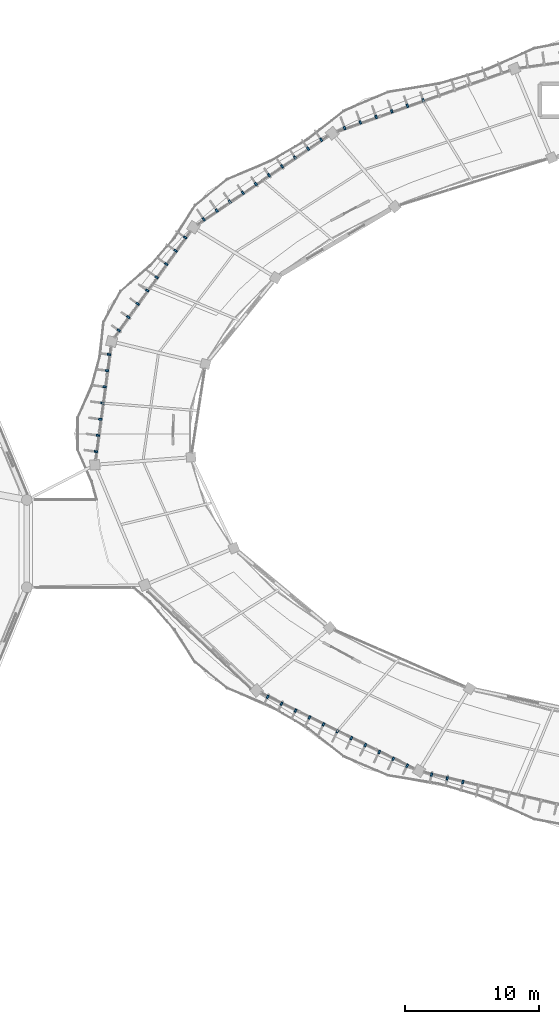
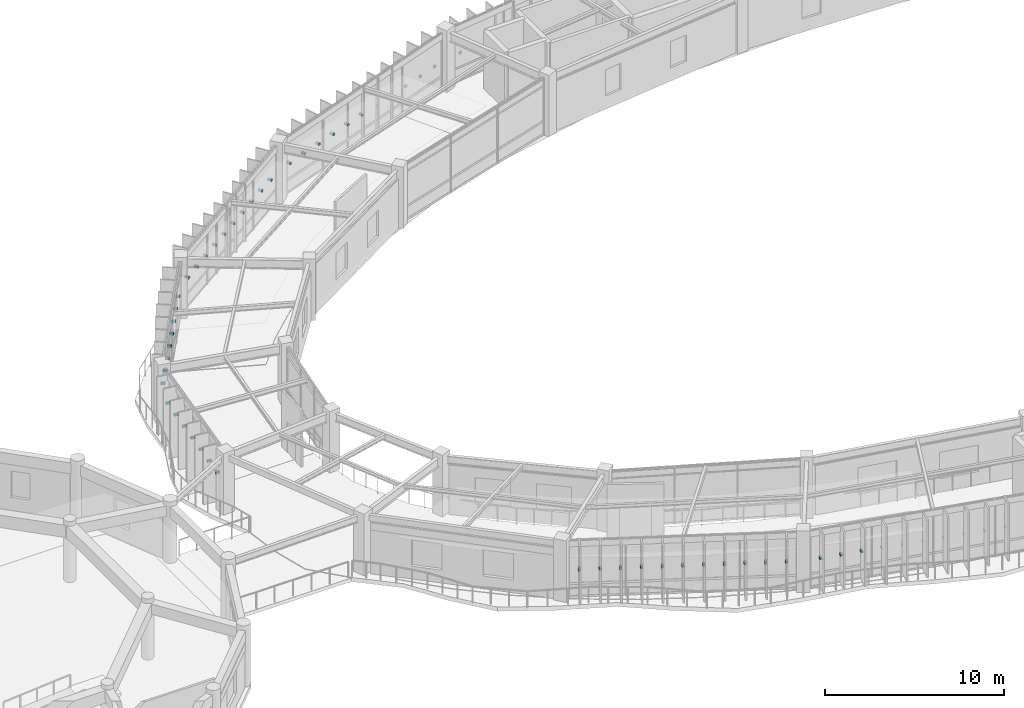
# One storey, part 133 of 152: 45 discrete accessories.
"""IFC4 building model written with IfcOpenShell, lengths in metres."""

from ifc_helpers import new_model, si_unit, direction, frame, origin, origin_2d, place, context, subcontext, project, spatial, rectangle, extrude, material, type_object, element, save


model = new_model("IFC4")

# Units and contexts
model_context = context("Model", 3, precision=1e-05, world=origin(), true_north=direction((0.0, 1.0)))
body_context = subcontext(model_context, "Body", "Model", "MODEL_VIEW")
ifc_project = project(units=[si_unit("LENGTHUNIT", "METRE"), si_unit("AREAUNIT", "SQUARE_METRE"), si_unit("VOLUMEUNIT", "CUBIC_METRE"), si_unit("PLANEANGLEUNIT", "RADIAN"), si_unit("MASSUNIT", "GRAM", prefix="KILO"), si_unit("THERMODYNAMICTEMPERATUREUNIT", "KELVIN"), si_unit("POWERUNIT", "WATT")], contexts=[model_context])

# Site, building, storey
site_placement = place(None, origin())
site = spatial("IfcSite", under=ifc_project, at=site_placement, CompositionType="ELEMENT")
building_placement = place(site_placement, origin())
building = spatial("IfcBuilding", under=site, at=building_placement, Name="Darbajah Civic Hall", CompositionType="ELEMENT")
storey_placement = place(building_placement, frame((0.0, 0.0, 5.39990234375)))
storey = spatial("IfcBuildingStorey", under=building, at=storey_placement, Name="L01", CompositionType="ELEMENT", Elevation=5.39990234375)

# Discrete accessories
ifc_material = material(Name="Stainless Steel S355JR", Category="steel")
discrete_accessory_type = type_object("IfcDiscreteAccessoryType", Name="Stainless Facade Support Bracket", PredefinedType="BRACKET", material=ifc_material)
for number, where, z_axis, x_axis, name in (
    (1, (62.760498046875, 114.69970703125, 1.89013671875), (0.0, 0.0, 1.0), (-0.334135882844, 0.94252491309, 0.0), "L01 shading fin bracket 06-6"),
    (2, (61.58837890625, 114.2841796875, 1.89013671875), (0.0, 0.0, 1.0), (-0.334135882844, 0.94252491309, 0.0), "L01 shading fin bracket 06-7"),
    (3, (60.416015625, 113.868896484375, 1.89013671875), (0.0, 0.0, 1.0), (-0.334135882844, 0.94252491309, 0.0), "L01 shading fin bracket 06-8"),
    (4, (59.243896484375, 113.453369140625, 1.89013671875), (0.0, 0.0, 1.0), (-0.334135882844, 0.94252491309, 0.0), "L01 shading fin bracket 06-9"),
    (5, (58.07177734375, 113.037841796875, 1.89013671875), (0.0, 0.0, 1.0), (-0.334135882844, 0.94252491309, 0.0), "L01 shading fin bracket 06-10"),
    (6, (56.8994140625, 112.622314453125, 1.89013671875), (0.0, 0.0, 1.0), (-0.334135882844, 0.94252491309, 0.0), "L01 shading fin bracket 06-11"),
    (7, (55.1455078125, 111.740478515625, 1.89013671875), (0.0, 0.0, 1.0), (-0.560783509816, 0.827962472047, 0.0), "L01 shading fin bracket 07-1"),
    (8, (54.171630859375, 111.0810546875, 1.89013671875), (0.0, 0.0, 1.0), (-0.560783509816, 0.827962472047, 0.0), "L01 shading fin bracket 07-2"),
    (9, (53.19775390625, 110.42138671875, 1.89013671875), (0.0, 0.0, 1.0), (-0.560783509816, 0.827962472047, 0.0), "L01 shading fin bracket 07-3"),
    (10, (52.223876953125, 109.761962890625, 1.89013671875), (0.0, 0.0, 1.0), (-0.560783509816, 0.827962472047, 0.0), "L01 shading fin bracket 07-4"),
    (11, (51.25, 109.102294921875, 1.89013671875), (0.0, 0.0, 1.0), (-0.560783509816, 0.827962472047, 0.0), "L01 shading fin bracket 07-5"),
    (12, (50.276123046875, 108.44287109375, 1.89013671875), (0.0, 0.0, 1.0), (-0.560783509816, 0.827962472047, 0.0), "L01 shading fin bracket 07-6"),
    (13, (49.30224609375, 107.783203125, 1.89013671875), (0.0, 0.0, 1.0), (-0.560783509816, 0.827962472047, 0.0), "L01 shading fin bracket 07-7"),
    (14, (48.32861328125, 107.123779296875, 1.89013671875), (0.0, 0.0, 1.0), (-0.560783509816, 0.827962472047, 0.0), "L01 shading fin bracket 07-8"),
    (15, (47.3544921875, 106.464111328125, 1.89013671875), (0.0, 0.0, 1.0), (-0.560783509816, 0.827962472047, 0.0), "L01 shading fin bracket 07-9"),
    (16, (46.380859375, 105.8046875, 1.89013671875), (0.0, 0.0, 1.0), (-0.560783509816, 0.827962472047, 0.0), "L01 shading fin bracket 07-10"),
    (17, (44.992919921875, 104.447509765625, 1.89013671875), (0.0, 0.0, 1.0), (-0.812999149039, 0.582264874145, 0.0), "L01 shading fin bracket 08-1"),
    (18, (44.284423828125, 103.458251953125, 1.89013671875), (0.0, 0.0, 1.0), (-0.812999149039, 0.582264874145, 0.0), "L01 shading fin bracket 08-2"),
    (19, (43.576171875, 102.468994140625, 1.89013671875), (0.0, 0.0, 1.0), (-0.812999149039, 0.582264874145, 0.0), "L01 shading fin bracket 08-3"),
    (20, (42.86767578125, 101.479736328125, 1.89013671875), (0.0, 0.0, 1.0), (-0.812999149039, 0.582264874145, 0.0), "L01 shading fin bracket 08-4"),
    (21, (42.1591796875, 100.490478515625, 1.89013671875), (0.0, 0.0, 1.0), (-0.812999149039, 0.582264874145, 0.0), "L01 shading fin bracket 08-5"),
    (22, (41.45068359375, 99.501220703125, 1.89013671875), (0.0, 0.0, 1.0), (-0.812999149039, 0.582264874145, 0.0), "L01 shading fin bracket 08-6"),
    (23, (40.742431640625, 98.511962890625, 1.89013671875), (0.0, 0.0, 1.0), (-0.812999149039, 0.582264874145, 0.0), "L01 shading fin bracket 08-7"),
    (24, (40.033935546875, 97.522705078125, 1.89013671875), (0.0, 0.0, 1.0), (-0.812999149039, 0.582264874145, 0.0), "L01 shading fin bracket 08-8"),
    (25, (39.316650390625, 95.71728515625, 1.89013671875), (0.0, 0.0, 1.0), (-0.990865897387, 0.134850930274, 0.0), "L01 shading fin bracket 09-1"),
    (26, (39.15234375, 94.509521484375, 1.89013671875), (0.0, 0.0, 1.0), (-0.990865897387, 0.134850930274, 0.0), "L01 shading fin bracket 09-2"),
    (27, (38.988037109375, 93.3017578125, 1.89013671875), (0.0, 0.0, 1.0), (-0.990865897387, 0.134850930274, 0.0), "L01 shading fin bracket 09-3"),
    (28, (38.82373046875, 92.093994140625, 1.89013671875), (0.0, 0.0, 1.0), (-0.990865897387, 0.134850930274, 0.0), "L01 shading fin bracket 09-4"),
    (29, (38.659423828125, 90.886474609375, 1.89013671875), (0.0, 0.0, 1.0), (-0.990865897387, 0.134850930274, 0.0), "L01 shading fin bracket 09-5"),
    (30, (38.4951171875, 89.6787109375, 1.89013671875), (0.0, 0.0, 1.0), (-0.990865897387, 0.134850930274, 0.0), "L01 shading fin bracket 09-6"),
    (31, (38.330810546875, 88.470947265625, 1.89013671875), (0.0, 0.0, 1.0), (-0.990865897387, 0.134850930274, 0.0), "L01 shading fin bracket 09-7"),
    (32, (51.151611328125, 70.1630859375, 1.89013671875), (0.0, 0.0, 1.0), (-0.442914717678, -0.89656374724, 0.0), "L01 shading fin bracket 12-1"),
    (33, (52.193115234375, 69.648681640625, 1.89013671875), (0.0, 0.0, 1.0), (-0.442914717678, -0.89656374724, 0.0), "L01 shading fin bracket 12-2"),
    (34, (53.234619140625, 69.134033203125, 1.89013671875), (0.0, 0.0, 1.0), (-0.442914717678, -0.89656374724, 0.0), "L01 shading fin bracket 12-3"),
    (35, (54.276123046875, 68.619384765625, 1.89013671875), (0.0, 0.0, 1.0), (-0.442914717678, -0.89656374724, 0.0), "L01 shading fin bracket 12-4"),
    (36, (55.31787109375, 68.10498046875, 1.89013671875), (0.0, 0.0, 1.0), (-0.442914717678, -0.89656374724, 0.0), "L01 shading fin bracket 12-5"),
    (37, (56.359375, 67.59033203125, 1.89013671875), (0.0, 0.0, 1.0), (-0.442914717678, -0.89656374724, 0.0), "L01 shading fin bracket 12-6"),
    (38, (57.40087890625, 67.07568359375, 1.89013671875), (0.0, 0.0, 1.0), (-0.442914717678, -0.89656374724, 0.0), "L01 shading fin bracket 12-7"),
    (39, (58.4423828125, 66.561279296875, 1.89013671875), (0.0, 0.0, 1.0), (-0.442914717678, -0.89656374724, 0.0), "L01 shading fin bracket 12-8"),
    (40, (59.484130859375, 66.046630859375, 1.89013671875), (0.0, 0.0, 1.0), (-0.442914717678, -0.89656374724, 0.0), "L01 shading fin bracket 12-9"),
    (41, (60.525634765625, 65.5322265625, 1.89013671875), (0.0, 0.0, 1.0), (-0.442914717678, -0.89656374724, 0.0), "L01 shading fin bracket 12-10"),
    (42, (61.567138671875, 65.017578125, 1.89013671875), (0.0, 0.0, 1.0), (-0.442914717678, -0.89656374724, 0.0), "L01 shading fin bracket 12-11"),
    (43, (63.388916015625, 64.361083984375, 1.89013671875), (0.0, 0.0, 1.0), (-0.232936200179, -0.972492018808, 0.0), "L01 shading fin bracket 13-1"),
    (44, (64.556396484375, 64.081298828125, 1.89013671875), (0.0, 0.0, 1.0), (-0.232936200179, -0.972492018808, 0.0), "L01 shading fin bracket 13-2"),
    (45, (65.7236328125, 63.8017578125, 1.89013671875), (0.0, 0.0, 1.0), (-0.232936200179, -0.972492018808, 0.0), "L01 shading fin bracket 13-3"),
):
    element("IfcDiscreteAccessory", number, at=place(storey_placement, frame(where, z_axis=z_axis, x_axis=x_axis)), inside=storey, type_object=discrete_accessory_type, Name=name, PredefinedType="BRACKET", context=body_context, shape_type="SweptSolid", body=[
        extrude(rectangle(XDim=0.260009765625, YDim=0.139892578125, at=origin_2d()), origin(), (0.0, 0.0, 1.0), 0.139892578125),
    ])

save(model, "model.ifc")
